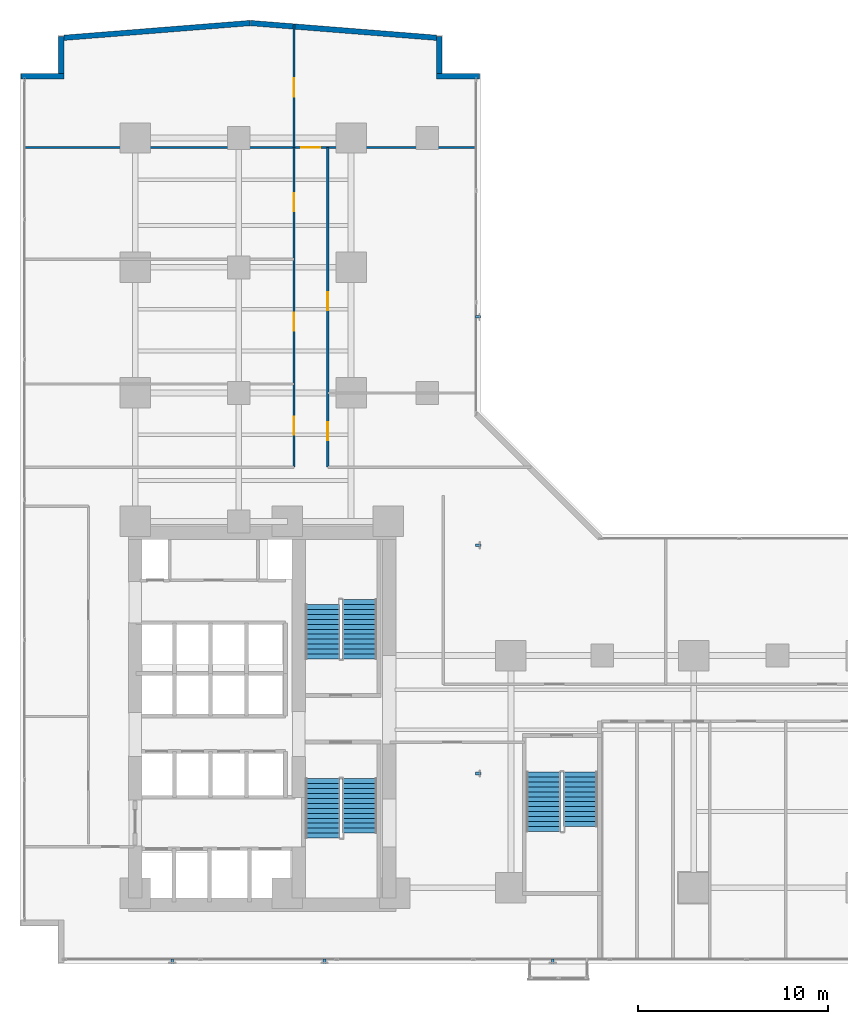
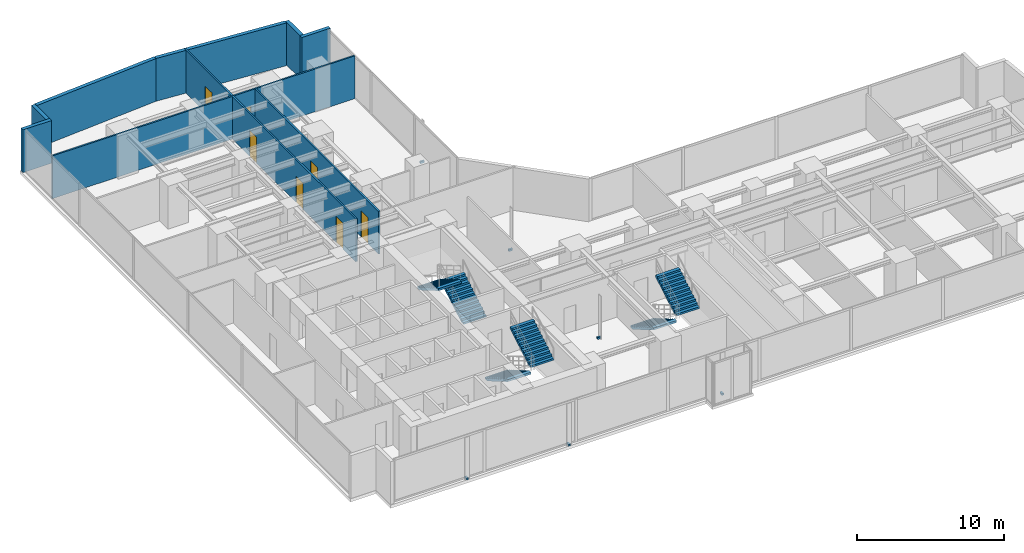
# One storey, part 24 of 27: 10 walls, 7 doors, 6 discrete accessories, 6 stair flights, 7 openings, 3 elements without a shape of their own.
"""IFC4 building model written with IfcOpenShell, lengths in metres."""

from ifc_helpers import new_model, si_unit, direction, frame, frame_2d, origin, origin_with_axes, origin_2d, place, context, subcontext, project, spatial, polyline, rectangle, outline, extrude, source, transform, mapped, material, layer, layer_set, type_object, element, fill, aggregate, save


model = new_model("IFC4")

# Units and contexts
model_context = context("Model", 3, precision=1e-05, world=origin(), true_north=direction((0.0, 1.0)))
body_context = subcontext(model_context, "Body", "Model", "MODEL_VIEW")
ifc_project = project(units=[si_unit("LENGTHUNIT", "METRE"), si_unit("AREAUNIT", "SQUARE_METRE"), si_unit("VOLUMEUNIT", "CUBIC_METRE"), si_unit("PLANEANGLEUNIT", "RADIAN"), si_unit("MASSUNIT", "GRAM", prefix="KILO")], contexts=[model_context])

# Site, building, storey
site_placement = place(None, origin())
site = spatial("IfcSite", under=ifc_project, at=site_placement, CompositionType="ELEMENT")
building_placement = place(site_placement, origin())
building = spatial("IfcBuilding", under=site, at=building_placement, Name="Kolvaren Waterfront Exchange", CompositionType="ELEMENT")
storey_placement = place(building_placement, frame((0.0, 0.0, 63.800048828125)))
storey = spatial("IfcBuildingStorey", under=building, at=storey_placement, Name="L16", CompositionType="ELEMENT", Elevation=63.800048828125)

# Walls
ifc_material_1 = material(Name="Precast concrete C40/50", Category="concrete")
ifc_layer_1 = layer(ifc_material_1, 0.280029296875, Name="Precast concrete C40/50")
ifc_layer_set_1 = layer_set([ifc_layer_1], Name="Precast concrete C40/50")
wall_type_1 = type_object("IfcWallType", Name="ARC-EXT-TERR-280", PredefinedType="SOLIDWALL", material=ifc_layer_set_1)
wall_1_placement = place(storey_placement, frame((23.300048828125, 47.840087890625, 0.0), z_axis=(0.0, 0.0, 1.0), x_axis=(1.0, 0.0, 0.0)))
element("IfcWall", 1, at=wall_1_placement, inside=storey, type_object=wall_type_1, Name="L16 notched corner spandrel pier NNE-A", PredefinedType="SOLIDWALL", context=body_context, shape_type="SweptSolid", body=[
    extrude(rectangle(XDim=2.239990234375, YDim=0.280029296875, at=frame_2d((1.1201171875, 0.0))), origin(), (0.0, 0.0, 1.0), 3.5400390625),
])
wall_2_placement = place(storey_placement, frame((23.43994140625, 47.97998046875, 0.0), z_axis=(0.0, 0.0, 1.0), x_axis=(0.0, 1.0, 0.0)))
element("IfcWall", 2, at=wall_2_placement, inside=storey, type_object=wall_type_1, Name="L16 notched corner spandrel pier NNE-B", PredefinedType="SOLIDWALL", context=body_context, shape_type="SweptSolid", body=[
    extrude(rectangle(XDim=1.9599609375, YDim=0.280029296875, at=frame_2d((0.97998046875, 0.0))), origin(), (0.0, 0.0, 1.0), 3.5400390625),
])
wall_3_placement = place(storey_placement, frame((1.4599609375, 47.840087890625, 0.0), z_axis=(0.0, 0.0, 1.0), x_axis=(1.0, 0.0, 0.0)))
element("IfcWall", 3, at=wall_3_placement, inside=storey, type_object=wall_type_1, Name="L16 notched corner spandrel pier NW-A", PredefinedType="SOLIDWALL", context=body_context, shape_type="SweptSolid", body=[
    extrude(rectangle(XDim=2.239990234375, YDim=0.280029296875, at=frame_2d((1.1201171875, 0.0))), origin(), (0.0, 0.0, 1.0), 3.5400390625),
])
wall_4_placement = place(storey_placement, frame((3.56005859375, 47.97998046875, 0.0), z_axis=(0.0, 0.0, 1.0), x_axis=(0.0, 1.0, 0.0)))
element("IfcWall", 4, at=wall_4_placement, inside=storey, type_object=wall_type_1, Name="L16 notched corner spandrel pier NW-B", PredefinedType="SOLIDWALL", context=body_context, shape_type="SweptSolid", body=[
    extrude(rectangle(XDim=1.9599609375, YDim=0.280029296875, at=frame_2d((0.97998046875, 0.0))), origin(), (0.0, 0.0, 1.0), 3.5400390625),
])
for number, where, z_axis, x_axis, name in (
    (5, (23.288330078125, 49.8642578125, 0.0), (0.0, 0.0, 1.0), (-0.996878337682, 0.078953023125, 0.0), "L16 north prow faceted facade wall 1"),
    (6, (13.49267578125, 50.638916015625, 0.0), (0.0, 0.0, 1.0), (-0.996878337682, -0.078953023125, 0.0), "L16 north prow faceted facade wall 2"),
):
    element("IfcWall", number, at=place(storey_placement, frame(where, z_axis=z_axis, x_axis=x_axis)), inside=storey, type_object=wall_type_1, Name=name, PredefinedType="SOLIDWALL", context=body_context, shape_type="SweptSolid", body=[
        extrude(rectangle(XDim=9.8115234375, YDim=0.280029296875, at=frame_2d((4.90576171875, 0.0))), origin(), (0.0, 0.0, 1.0), 3.5400390625),
    ])

# Wall, openings, doors
ifc_material_2 = material(Name="Acoustic gypsum steel stud", Category="steel")
ifc_layer_2 = layer(ifc_material_2, 0.125, Name="Acoustic gypsum steel stud")
ifc_layer_set_2 = layer_set([ifc_layer_2], Name="Acoustic gypsum steel stud")
wall_type_2 = type_object("IfcWallType", Name="ARC-PART-125", PredefinedType="PARTITIONING", material=ifc_layer_set_2)
wall_5_placement = place(storey_placement, frame((15.800048828125, 27.300048828125, 0.0), z_axis=(0.0, 0.0, 1.0), x_axis=(0.0, 1.0, 0.0)))
wall_5 = element("IfcWall", 7, at=wall_5_placement, inside=storey, type_object=wall_type_2, Name="L16 interior wall PW-L16-NW-CORR", PredefinedType="PARTITIONING", context=body_context, shape_type="SweptSolid", body=[
    extrude(rectangle(XDim=16.800048828125, YDim=0.125, at=frame_2d((8.39990234375, 0.0))), origin(), (0.0, 0.0, 1.0), 3.5400390625),
])
opening_1_placement = place(wall_5_placement, frame((1.7099609375, 0.0, 0.0)))
opening_1 = element("IfcOpeningElement", 8, at=opening_1_placement, cuts=wall_5, Name="Opening D02", PredefinedType="OPENING", context=body_context, shape_type="SweptSolid", body=[
    extrude(rectangle(XDim=0.949951171875, YDim=2.14990234375, at=frame_2d((0.47509765625, 1.074951171875))), frame((0.0, 0.072509765625, 0.0), z_axis=(0.0, -1.0, 0.0), x_axis=(1.0, 0.0, 0.0)), (0.0, 0.0, 1.0), 0.14501953125),
])
opening_2_placement = place(wall_5_placement, frame((7.169921875, 0.0, 0.0)))
opening_2 = element("IfcOpeningElement", 9, at=opening_2_placement, cuts=wall_5, Name="Opening D02", PredefinedType="OPENING", context=body_context, shape_type="SweptSolid", body=[
    extrude(rectangle(XDim=0.949951171875, YDim=2.14990234375, at=frame_2d((0.47509765625, 1.074951171875))), frame((0.0, 0.072509765625, 0.0), z_axis=(0.0, -1.0, 0.0), x_axis=(1.0, 0.0, 0.0)), (0.0, 0.0, 1.0), 0.14501953125),
])
opening_3_placement = place(wall_5_placement, frame((13.456298828125, 0.0, 0.0)))
opening_3 = element("IfcOpeningElement", 10, at=opening_3_placement, cuts=wall_5, Name="Opening D02", PredefinedType="OPENING", context=body_context, shape_type="SweptSolid", body=[
    extrude(rectangle(XDim=0.949951171875, YDim=2.14990234375, at=frame_2d((0.47509765625, 1.074951171875))), frame((0.0, 0.072509765625, 0.0), z_axis=(0.0, -1.0, 0.0), x_axis=(1.0, 0.0, 0.0)), (0.0, 0.0, 1.0), 0.14501953125),
])
ifc_material_3 = material(Name="Oak veneer acoustic timber", Category="wood")
door_type_1 = type_object("IfcDoorType", Name="ARC-DR-950", OperationType="NOTDEFINED", PredefinedType="DOOR", material=ifc_material_3)
door_1_placement = place(opening_1_placement, origin())
door_1 = element("IfcDoor", 11, at=door_1_placement, inside=storey, type_object=door_type_1, Name="L16 door DR-L16-NW-D-1 (D02)", OperationType="SINGLE_SWING_RIGHT", OverallHeight=2.14990234375, OverallWidth=0.949951171875, PredefinedType="DOOR", context=body_context, shape_type="SweptSolid", body=[
    extrude(rectangle(XDim=0.949951171875, YDim=2.14990234375, at=frame_2d((0.47509765625, 1.074951171875))), frame((0.0, 0.02490234375, 0.0), z_axis=(0.0, -1.0, 0.0), x_axis=(1.0, 0.0, 0.0)), (0.0, 0.0, 1.0), 0.050048828125),
])
fill(opening_1, door_1)
door_2_placement = place(opening_2_placement, origin())
door_2 = element("IfcDoor", 12, at=door_2_placement, inside=storey, type_object=door_type_1, Name="L16 door DR-L16-NW-D-2 (D02)", OperationType="SINGLE_SWING_LEFT", OverallHeight=2.14990234375, OverallWidth=0.949951171875, PredefinedType="DOOR", context=body_context, shape_type="SweptSolid", body=[
    extrude(rectangle(XDim=0.949951171875, YDim=2.14990234375, at=frame_2d((0.47509765625, 1.074951171875))), frame((0.0, 0.02490234375, 0.0), z_axis=(0.0, -1.0, 0.0), x_axis=(1.0, 0.0, 0.0)), (0.0, 0.0, 1.0), 0.050048828125),
])
fill(opening_2, door_2)
door_3_placement = place(opening_3_placement, origin())
door_3 = element("IfcDoor", 13, at=door_3_placement, inside=storey, type_object=door_type_1, Name="L16 door DR-L16-NW-D-3 (D02)", OperationType="SINGLE_SWING_RIGHT", OverallHeight=2.14990234375, OverallWidth=0.949951171875, PredefinedType="DOOR", context=body_context, shape_type="SweptSolid", body=[
    extrude(rectangle(XDim=0.949951171875, YDim=2.14990234375, at=frame_2d((0.47509765625, 1.074951171875))), frame((0.0, 0.02490234375, 0.0), z_axis=(0.0, -1.0, 0.0), x_axis=(1.0, 0.0, 0.0)), (0.0, 0.0, 1.0), 0.050048828125),
])
fill(opening_3, door_3)

# Wall, opening, door
wall_6_placement = place(storey_placement, frame((1.639892578125, 44.10009765625, 0.0), z_axis=(0.0, 0.0, 1.0), x_axis=(1.0, 0.0, 0.0)))
wall_6 = element("IfcWall", 14, at=wall_6_placement, inside=storey, type_object=wall_type_2, Name="L16 interior wall PW-L16-NTIP-S", PredefinedType="PARTITIONING", context=body_context, shape_type="SweptSolid", body=[
    extrude(rectangle(XDim=23.72021484375, YDim=0.125, at=frame_2d((11.860107421875, 0.0))), origin(), (0.0, 0.0, 1.0), 3.5400390625),
])
opening_4_placement = place(wall_6_placement, frame((14.550048828125, 0.0, 0.0)))
opening_4 = element("IfcOpeningElement", 15, at=opening_4_placement, cuts=wall_6, Name="Opening D03", PredefinedType="OPENING", context=body_context, shape_type="SweptSolid", body=[
    extrude(rectangle(XDim=1.0, YDim=2.199951171875, at=frame_2d((0.5, 1.10009765625))), frame((0.0, 0.072509765625, 0.0), z_axis=(0.0, -1.0, 0.0), x_axis=(1.0, 0.0, 0.0)), (0.0, 0.0, 1.0), 0.14501953125),
])
ifc_material_4 = material(Name="Oak veneer accessible timber", Category="wood")
door_type_2 = type_object("IfcDoorType", Name="ARC-DR-1000", OperationType="NOTDEFINED", PredefinedType="DOOR", material=ifc_material_4)
door_4_placement = place(opening_4_placement, origin())
door_4 = element("IfcDoor", 16, at=door_4_placement, inside=storey, type_object=door_type_2, Name="L16 door DR-L16-NTIPE-D (D03)", OperationType="SINGLE_SWING_LEFT", OverallHeight=2.199951171875, OverallWidth=1.0, PredefinedType="DOOR", context=body_context, shape_type="SweptSolid", body=[
    extrude(rectangle(XDim=1.0, YDim=2.199951171875, at=frame_2d((0.5, 1.10009765625))), frame((0.0, 0.02490234375, 0.0), z_axis=(0.0, -1.0, 0.0), x_axis=(1.0, 0.0, 0.0)), (0.0, 0.0, 1.0), 0.050048828125),
])
fill(opening_4, door_4)

wall_7_placement = place(storey_placement, frame((15.800048828125, 44.10009765625, 0.0), z_axis=(0.0, 0.0, 1.0), x_axis=(0.0, 1.0, 0.0)))
wall_7 = element("IfcWall", 17, at=wall_7_placement, inside=storey, type_object=wall_type_2, Name="L16 interior wall PW-L16-NTIP-DIV", PredefinedType="PARTITIONING", context=body_context, shape_type="SweptSolid", body=[
    extrude(rectangle(XDim=6.4599609375, YDim=0.125, at=frame_2d((3.22998046875, 0.0))), origin(), (0.0, 0.0, 1.0), 3.5400390625),
])
opening_5_placement = place(wall_7_placement, frame((2.677490234375, 0.0, 0.0)))
opening_5 = element("IfcOpeningElement", 18, at=opening_5_placement, cuts=wall_7, Name="Opening D02", PredefinedType="OPENING", context=body_context, shape_type="SweptSolid", body=[
    extrude(rectangle(XDim=0.949951171875, YDim=2.14990234375, at=frame_2d((0.47509765625, 1.074951171875))), frame((0.0, 0.072509765625, 0.0), z_axis=(0.0, -1.0, 0.0), x_axis=(1.0, 0.0, 0.0)), (0.0, 0.0, 1.0), 0.14501953125),
])
door_5_placement = place(opening_5_placement, origin())
door_5 = element("IfcDoor", 19, at=door_5_placement, inside=storey, type_object=door_type_1, Name="L16 door DR-L16-NTIPW-D (D02)", OperationType="SINGLE_SWING_RIGHT", OverallHeight=2.14990234375, OverallWidth=0.949951171875, PredefinedType="DOOR", context=body_context, shape_type="SweptSolid", body=[
    extrude(rectangle(XDim=0.949951171875, YDim=2.14990234375, at=frame_2d((0.47509765625, 1.074951171875))), frame((0.0, 0.02490234375, 0.0), z_axis=(0.0, -1.0, 0.0), x_axis=(1.0, 0.0, 0.0)), (0.0, 0.0, 1.0), 0.050048828125),
])
fill(opening_5, door_5)

# Wall, openings, doors
wall_8_placement = place(storey_placement, frame((17.580078125, 27.300048828125, 0.0), z_axis=(0.0, 0.0, 1.0), x_axis=(0.0, 1.0, 0.0)))
wall_8 = element("IfcWall", 20, at=wall_8_placement, inside=storey, type_object=wall_type_2, Name="L16 interior wall PW-L16-NE-CORR", PredefinedType="PARTITIONING", context=body_context, shape_type="SweptSolid", body=[
    extrude(rectangle(XDim=16.800048828125, YDim=0.125, at=frame_2d((8.39990234375, 0.0))), origin(), (0.0, 0.0, 1.0), 3.5400390625),
])
opening_6_placement = place(wall_8_placement, frame((1.4033203125, 0.0, 0.0)))
opening_6 = element("IfcOpeningElement", 21, at=opening_6_placement, cuts=wall_8, Name="Opening D02", PredefinedType="OPENING", context=body_context, shape_type="SweptSolid", body=[
    extrude(rectangle(XDim=0.949951171875, YDim=2.14990234375, at=frame_2d((0.47509765625, 1.074951171875))), frame((0.0, 0.072509765625, 0.0), z_axis=(0.0, -1.0, 0.0), x_axis=(1.0, 0.0, 0.0)), (0.0, 0.0, 1.0), 0.14501953125),
])
opening_7_placement = place(wall_8_placement, frame((8.251953125, 0.0, 0.0)))
opening_7 = element("IfcOpeningElement", 22, at=opening_7_placement, cuts=wall_8, Name="Opening D02", PredefinedType="OPENING", context=body_context, shape_type="SweptSolid", body=[
    extrude(rectangle(XDim=0.949951171875, YDim=2.14990234375, at=frame_2d((0.47509765625, 1.074951171875))), frame((0.0, 0.072509765625, 0.0), z_axis=(0.0, -1.0, 0.0), x_axis=(1.0, 0.0, 0.0)), (0.0, 0.0, 1.0), 0.14501953125),
])
door_6_placement = place(opening_6_placement, origin())
door_6 = element("IfcDoor", 23, at=door_6_placement, inside=storey, type_object=door_type_1, Name="L16 door DR-L16-NE-D-1 (D02)", OperationType="SINGLE_SWING_LEFT", OverallHeight=2.14990234375, OverallWidth=0.949951171875, PredefinedType="DOOR", context=body_context, shape_type="SweptSolid", body=[
    extrude(rectangle(XDim=0.949951171875, YDim=2.14990234375, at=frame_2d((0.47509765625, 1.074951171875))), frame((0.0, 0.02490234375, 0.0), z_axis=(0.0, -1.0, 0.0), x_axis=(1.0, 0.0, 0.0)), (0.0, 0.0, 1.0), 0.050048828125),
])
fill(opening_6, door_6)
door_7_placement = place(opening_7_placement, origin())
door_7 = element("IfcDoor", 24, at=door_7_placement, inside=storey, type_object=door_type_1, Name="L16 door DR-L16-NE-D-2 (D02)", OperationType="SINGLE_SWING_RIGHT", OverallHeight=2.14990234375, OverallWidth=0.949951171875, PredefinedType="DOOR", context=body_context, shape_type="SweptSolid", body=[
    extrude(rectangle(XDim=0.949951171875, YDim=2.14990234375, at=frame_2d((0.47509765625, 1.074951171875))), frame((0.0, 0.02490234375, 0.0), z_axis=(0.0, -1.0, 0.0), x_axis=(1.0, 0.0, 0.0)), (0.0, 0.0, 1.0), 0.050048828125),
])
fill(opening_7, door_7)

# Stair, stair flights
ifc_material_5 = material(Name="Concrete C40/50", Category="concrete")
stair_type = type_object("IfcStairType", Name="ARC-STAIR-3800", PredefinedType="HALF_TURN_STAIR", material=ifc_material_5)
stair_1_placement = place(storey_placement, origin())
stair_1 = element("IfcStair", 25, at=stair_1_placement, inside=storey, type_object=stair_type, Name="L16 Smoke-proof exit stair ST1", PredefinedType="HALF_TURN_STAIR")
stair_flight_type = type_object("IfcStairFlightType", Name="ARC-FLIGHT-3800", PredefinedType="STRAIGHT", material=ifc_material_5)
stair_flight_1_placement = place(storey_placement, frame((17.300048828125, 10.929931640625, 0.0), z_axis=(0.0, 0.0, 1.0), x_axis=(0.0, -1.0, 0.0)))
stair_flight_1 = element("IfcStairFlight", 26, at=stair_flight_1_placement, type_object=stair_flight_type, Name="ST1 flight 1", NumberOfRisers=13, NumberOfTreads=12, PredefinedType="STRAIGHT", RiserHeight=0.152, TreadLength=0.26, context=body_context, shape_type="SweptSolid", body=[
    extrude(outline(polyline([(0.0, 0.0), (0.0, 0.152099609375), (0.260009765625, 0.152099609375), (0.260009765625, 0.303955078125), (0.52001953125, 0.303955078125), (0.52001953125, 0.4560546875), (0.780029296875, 0.4560546875), (0.780029296875, 0.60791015625), (1.0400390625, 0.60791015625), (1.0400390625, 0.760009765625), (1.300048828125, 0.760009765625), (1.300048828125, 0.912109375), (1.56005859375, 0.912109375), (1.56005859375, 1.06396484375), (1.820068359375, 1.06396484375), (1.820068359375, 1.216064453125), (2.080078125, 1.216064453125), (2.080078125, 1.367919921875), (2.340087890625, 1.367919921875), (2.340087890625, 1.52001953125), (2.60009765625, 1.52001953125), (2.60009765625, 1.672119140625), (2.860107421875, 1.672119140625), (2.860107421875, 1.823974609375), (3.1201171875, 1.823974609375), (3.1201171875, 1.97607421875), (3.1201171875, 1.650390625), (0.297119140625, 0.0), (0.0, 0.0)])), frame((0.0, 0.89990234375, 0.0), z_axis=(0.0, -1.0, 0.0), x_axis=(1.0, 0.0, 0.0)), (0.0, 0.0, 1.0), 1.800048828125),
])
stair_flight_2_placement = place(storey_placement, frame((19.260009765625, 8.070068359375, 1.975830078125), z_axis=(0.0, 0.0, 1.0), x_axis=(0.0, 1.0, 0.0)))
stair_flight_2 = element("IfcStairFlight", 27, at=stair_flight_2_placement, type_object=stair_flight_type, Name="ST1 flight 2", NumberOfRisers=12, NumberOfTreads=11, PredefinedType="STRAIGHT", RiserHeight=0.152, TreadLength=0.26, context=body_context, shape_type="SweptSolid", body=[
    extrude(outline(polyline([(0.0, 0.0), (0.0, 0.152099609375), (0.260009765625, 0.152099609375), (0.260009765625, 0.303955078125), (0.52001953125, 0.303955078125), (0.52001953125, 0.4560546875), (0.780029296875, 0.4560546875), (0.780029296875, 0.60791015625), (1.0400390625, 0.60791015625), (1.0400390625, 0.760009765625), (1.300048828125, 0.760009765625), (1.300048828125, 0.912109375), (1.56005859375, 0.912109375), (1.56005859375, 1.06396484375), (1.820068359375, 1.06396484375), (1.820068359375, 1.216064453125), (2.080078125, 1.216064453125), (2.080078125, 1.367919921875), (2.340087890625, 1.367919921875), (2.340087890625, 1.52001953125), (2.60009765625, 1.52001953125), (2.60009765625, 1.672119140625), (2.860107421875, 1.672119140625), (2.860107421875, 1.823974609375), (2.860107421875, 1.498291015625), (0.297119140625, 0.0), (0.0, 0.0)])), frame((0.0, 0.89990234375, 0.0), z_axis=(0.0, -1.0, 0.0), x_axis=(1.0, 0.0, 0.0)), (0.0, 0.0, 1.0), 1.800048828125),
])
aggregate(stair_1, [stair_flight_1, stair_flight_2])

stair_2_placement = place(storey_placement, origin())
stair_2 = element("IfcStair", 28, at=stair_2_placement, inside=storey, type_object=stair_type, Name="L16 Smoke-proof exit stair ST2", PredefinedType="HALF_TURN_STAIR")
stair_flight_3_placement = place(storey_placement, frame((19.260009765625, 17.219970703125, 0.0), z_axis=(0.0, 0.0, 1.0), x_axis=(0.0, 1.0, 0.0)))
stair_flight_3 = element("IfcStairFlight", 29, at=stair_flight_3_placement, type_object=stair_flight_type, Name="ST2 flight 1", NumberOfRisers=13, NumberOfTreads=12, PredefinedType="STRAIGHT", RiserHeight=0.152, TreadLength=0.26, context=body_context, shape_type="SweptSolid", body=[
    extrude(outline(polyline([(0.0, 0.0), (0.0, 0.152099609375), (0.260009765625, 0.152099609375), (0.260009765625, 0.303955078125), (0.52001953125, 0.303955078125), (0.52001953125, 0.4560546875), (0.780029296875, 0.4560546875), (0.780029296875, 0.60791015625), (1.0400390625, 0.60791015625), (1.0400390625, 0.760009765625), (1.300048828125, 0.760009765625), (1.300048828125, 0.912109375), (1.56005859375, 0.912109375), (1.56005859375, 1.06396484375), (1.820068359375, 1.06396484375), (1.820068359375, 1.216064453125), (2.080078125, 1.216064453125), (2.080078125, 1.367919921875), (2.340087890625, 1.367919921875), (2.340087890625, 1.52001953125), (2.60009765625, 1.52001953125), (2.60009765625, 1.672119140625), (2.860107421875, 1.672119140625), (2.860107421875, 1.823974609375), (3.1201171875, 1.823974609375), (3.1201171875, 1.97607421875), (3.1201171875, 1.650390625), (0.297119140625, 0.0), (0.0, 0.0)])), frame((0.0, 0.89990234375, 0.0), z_axis=(0.0, -1.0, 0.0), x_axis=(1.0, 0.0, 0.0)), (0.0, 0.0, 1.0), 1.800048828125),
])
stair_flight_4_placement = place(storey_placement, frame((17.300048828125, 20.080078125, 1.975830078125), z_axis=(0.0, 0.0, 1.0), x_axis=(0.0, -1.0, 0.0)))
stair_flight_4 = element("IfcStairFlight", 30, at=stair_flight_4_placement, type_object=stair_flight_type, Name="ST2 flight 2", NumberOfRisers=12, NumberOfTreads=11, PredefinedType="STRAIGHT", RiserHeight=0.152, TreadLength=0.26, context=body_context, shape_type="SweptSolid", body=[
    extrude(outline(polyline([(0.0, 0.0), (0.0, 0.152099609375), (0.260009765625, 0.152099609375), (0.260009765625, 0.303955078125), (0.52001953125, 0.303955078125), (0.52001953125, 0.4560546875), (0.780029296875, 0.4560546875), (0.780029296875, 0.60791015625), (1.0400390625, 0.60791015625), (1.0400390625, 0.760009765625), (1.300048828125, 0.760009765625), (1.300048828125, 0.912109375), (1.56005859375, 0.912109375), (1.56005859375, 1.06396484375), (1.820068359375, 1.06396484375), (1.820068359375, 1.216064453125), (2.080078125, 1.216064453125), (2.080078125, 1.367919921875), (2.340087890625, 1.367919921875), (2.340087890625, 1.52001953125), (2.60009765625, 1.52001953125), (2.60009765625, 1.672119140625), (2.860107421875, 1.672119140625), (2.860107421875, 1.823974609375), (2.860107421875, 1.498291015625), (0.297119140625, 0.0), (0.0, 0.0)])), frame((0.0, 0.89990234375, 0.0), z_axis=(0.0, -1.0, 0.0), x_axis=(1.0, 0.0, 0.0)), (0.0, 0.0, 1.0), 1.800048828125),
])
aggregate(stair_2, [stair_flight_3, stair_flight_4])

stair_3_placement = place(storey_placement, origin())
stair_3 = element("IfcStair", 31, at=stair_3_placement, inside=storey, type_object=stair_type, Name="L16 Exit stair ST3", PredefinedType="HALF_TURN_STAIR")
stair_flight_5_placement = place(storey_placement, frame((28.89990234375, 11.280029296875, 0.0), z_axis=(0.0, 0.0, 1.0), x_axis=(0.0, -1.0, 0.0)))
stair_flight_5 = element("IfcStairFlight", 32, at=stair_flight_5_placement, type_object=stair_flight_type, Name="ST3 flight 1", NumberOfRisers=13, NumberOfTreads=12, PredefinedType="STRAIGHT", RiserHeight=0.152, TreadLength=0.26, context=body_context, shape_type="SweptSolid", body=[
    extrude(outline(polyline([(0.0, 0.0), (0.0, 0.152099609375), (0.260009765625, 0.152099609375), (0.260009765625, 0.303955078125), (0.52001953125, 0.303955078125), (0.52001953125, 0.4560546875), (0.780029296875, 0.4560546875), (0.780029296875, 0.60791015625), (1.0400390625, 0.60791015625), (1.0400390625, 0.760009765625), (1.300048828125, 0.760009765625), (1.300048828125, 0.912109375), (1.56005859375, 0.912109375), (1.56005859375, 1.06396484375), (1.820068359375, 1.06396484375), (1.820068359375, 1.216064453125), (2.080078125, 1.216064453125), (2.080078125, 1.367919921875), (2.340087890625, 1.367919921875), (2.340087890625, 1.52001953125), (2.60009765625, 1.52001953125), (2.60009765625, 1.672119140625), (2.860107421875, 1.672119140625), (2.860107421875, 1.823974609375), (3.1201171875, 1.823974609375), (3.1201171875, 1.97607421875), (3.1201171875, 1.650390625), (0.297119140625, 0.0), (0.0, 0.0)])), frame((0.0, 0.89990234375, 0.0), z_axis=(0.0, -1.0, 0.0), x_axis=(1.0, 0.0, 0.0)), (0.0, 0.0, 1.0), 1.800048828125),
])
stair_flight_6_placement = place(storey_placement, frame((30.860107421875, 8.419921875, 1.975830078125), z_axis=(0.0, 0.0, 1.0), x_axis=(0.0, 1.0, 0.0)))
stair_flight_6 = element("IfcStairFlight", 33, at=stair_flight_6_placement, type_object=stair_flight_type, Name="ST3 flight 2", NumberOfRisers=12, NumberOfTreads=11, PredefinedType="STRAIGHT", RiserHeight=0.152, TreadLength=0.26, context=body_context, shape_type="SweptSolid", body=[
    extrude(outline(polyline([(0.0, 0.0), (0.0, 0.152099609375), (0.260009765625, 0.152099609375), (0.260009765625, 0.303955078125), (0.52001953125, 0.303955078125), (0.52001953125, 0.4560546875), (0.780029296875, 0.4560546875), (0.780029296875, 0.60791015625), (1.0400390625, 0.60791015625), (1.0400390625, 0.760009765625), (1.300048828125, 0.760009765625), (1.300048828125, 0.912109375), (1.56005859375, 0.912109375), (1.56005859375, 1.06396484375), (1.820068359375, 1.06396484375), (1.820068359375, 1.216064453125), (2.080078125, 1.216064453125), (2.080078125, 1.367919921875), (2.340087890625, 1.367919921875), (2.340087890625, 1.52001953125), (2.60009765625, 1.52001953125), (2.60009765625, 1.672119140625), (2.860107421875, 1.672119140625), (2.860107421875, 1.823974609375), (2.860107421875, 1.498291015625), (0.297119140625, 0.0), (0.0, 0.0)])), frame((0.0, 0.89990234375, 0.0), z_axis=(0.0, -1.0, 0.0), x_axis=(1.0, 0.0, 0.0)), (0.0, 0.0, 1.0), 1.800048828125),
])
aggregate(stair_3, [stair_flight_5, stair_flight_6])

# Discrete accessories
ifc_material_6 = material(Name="Stainless steel 316", Category="steel")
discrete_accessory_type = type_object("IfcDiscreteAccessoryType", Name="ARC-BRK-FIN", PredefinedType="BRACKET", material=ifc_material_6)
shared_shape = source(origin_with_axes(), body_context, "Body", "SweptSolid", [
    extrude(rectangle(XDim=0.280029296875, YDim=0.139892578125, at=origin_2d()), origin(), (0.0, 0.0, 1.0), 0.159912109375),
])
for number, where, z_axis, x_axis, name in (
    (34, (9.39990234375, 1.320068359375, 0.0), (0.0, 0.0, 1.0), (0.0, -1.0, 0.0), "L16 bronze fin anchor bracket FIN-L16-S1"),
    (35, (17.39990234375, 1.320068359375, 0.0), (0.0, 0.0, 1.0), (0.0, -1.0, 0.0), "L16 bronze fin anchor bracket FIN-L16-S2"),
    (36, (29.39990234375, 1.320068359375, 0.0), (0.0, 0.0, 1.0), (0.0, -1.0, 0.0), "L16 bronze fin anchor bracket FIN-L16-S3"),
    (37, (25.47998046875, 11.199951171875, 0.0), (0.0, 0.0, 1.0), (1.0, 0.0, 0.0), "L16 bronze fin anchor bracket FIN-L16-E1"),
    (38, (25.47998046875, 23.199951171875, 0.0), (0.0, 0.0, 1.0), (1.0, 0.0, 0.0), "L16 bronze fin anchor bracket FIN-L16-E2"),
    (39, (25.47998046875, 35.199951171875, 0.0), (0.0, 0.0, 1.0), (1.0, 0.0, 0.0), "L16 bronze fin anchor bracket FIN-L16-E3"),
):
    element("IfcDiscreteAccessory", number, at=place(storey_placement, frame(where, z_axis=z_axis, x_axis=x_axis)), inside=storey, type_object=discrete_accessory_type, Name=name, PredefinedType="BRACKET", context=body_context, shape_type="MappedRepresentation", body=[
        mapped(shared_shape, transform((0.0, 0.0, 0.0), x_axis=(1.0, 0.0, 0.0), y_axis=(0.0, 1.0, 0.0), z_axis=(0.0, 0.0, 1.0), scale=1.0)),
    ])

save(model, "model.ifc")
